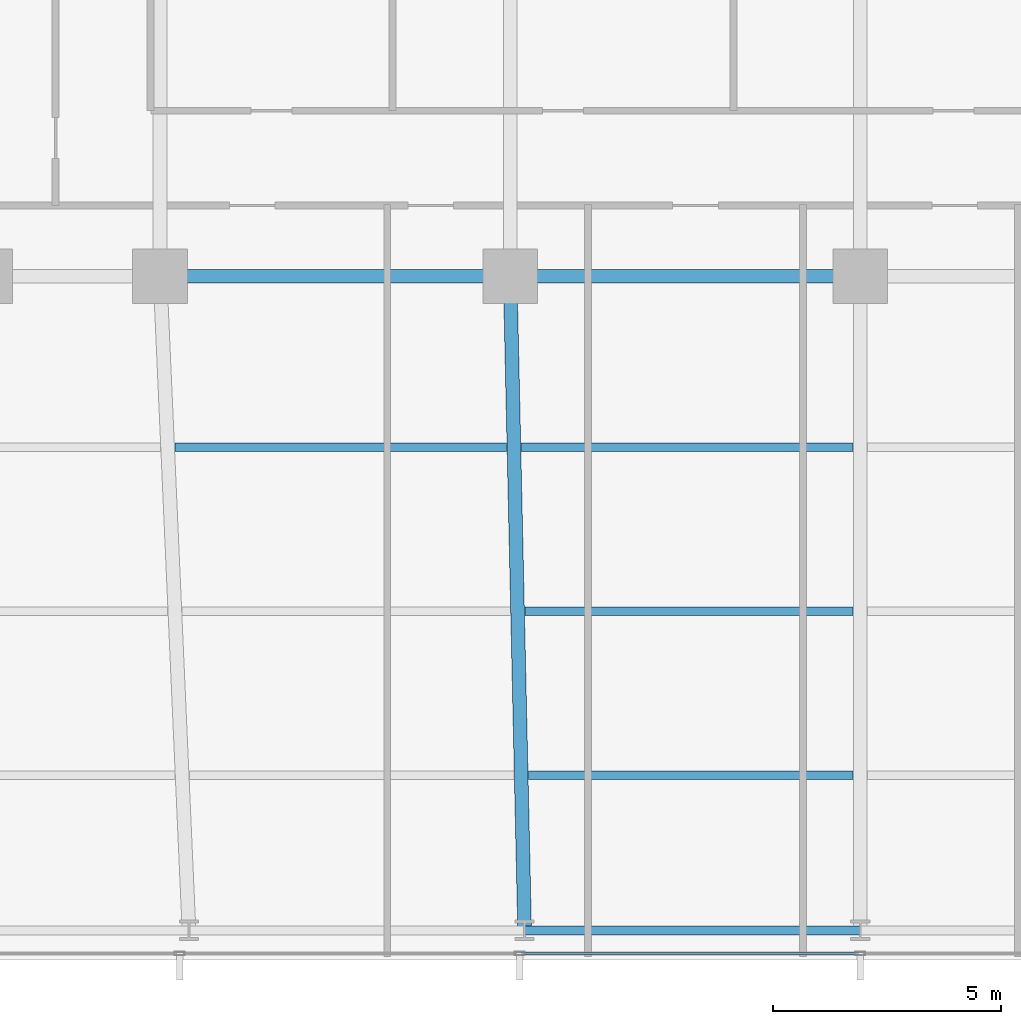
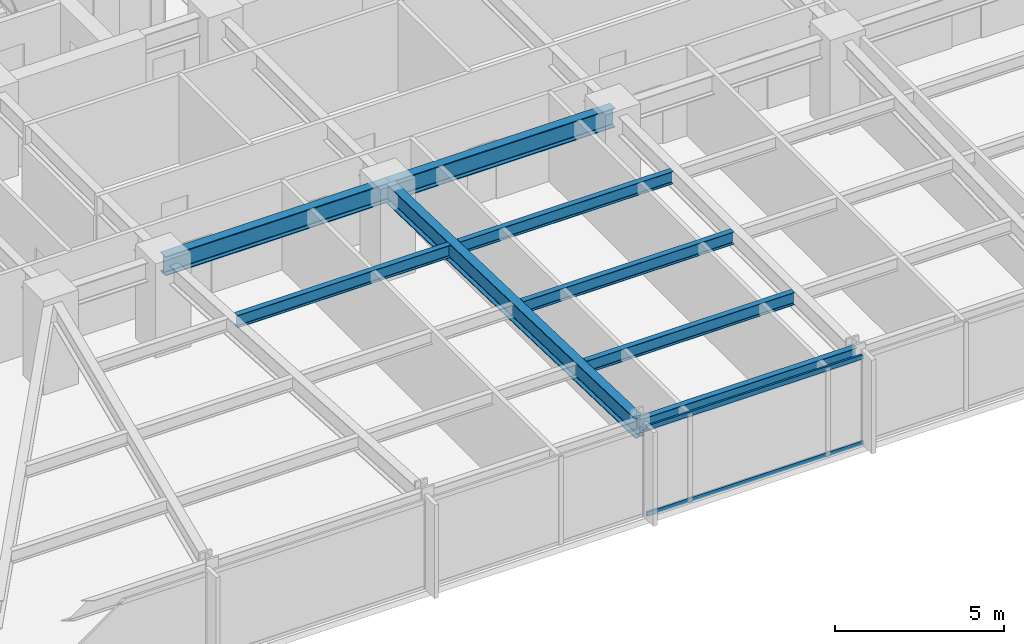
# One storey, part 6 of 32: 8 beams, 2 members, 1 element without a shape of its own.
"""IFC4 building model written with IfcOpenShell, lengths in metres."""

from ifc_helpers import new_model, si_unit, direction, frame, origin, origin_2d, place, context, subcontext, project, spatial, hollow_rectangle, i_section, extrude, material, material_profile, profile_set, type_object, element, aggregate, save


model = new_model("IFC4")

# Units and contexts
model_context = context("Model", 3, precision=1e-05, world=origin(), true_north=direction((0.0, 1.0)))
body_context = subcontext(model_context, "Body", "Model", "MODEL_VIEW")
ifc_project = project(units=[si_unit("LENGTHUNIT", "METRE"), si_unit("AREAUNIT", "SQUARE_METRE"), si_unit("VOLUMEUNIT", "CUBIC_METRE"), si_unit("PLANEANGLEUNIT", "RADIAN"), si_unit("MASSUNIT", "GRAM", prefix="KILO")], contexts=[model_context])

# Site, building, storey
site_placement = place(None, origin())
site = spatial("IfcSite", under=ifc_project, at=site_placement, CompositionType="ELEMENT")
building_placement = place(site_placement, origin())
building = spatial("IfcBuilding", under=site, at=building_placement, Name="Yelkora Congress Tower", CompositionType="ELEMENT")
storey_placement = place(building_placement, frame((0.0, 0.0, 57.60009765625)))
storey = spatial("IfcBuildingStorey", under=building, at=storey_placement, Name="L14", CompositionType="ELEMENT", Elevation=57.60009765625)

# Beams
ifc_material_1 = material(Name="Steel S355J2", Category="steel")
ifc_material_profile_1 = material_profile(ifc_material_1, i_section(OverallWidth=0.300048828125, OverallDepth=0.699951171875, WebThickness=0.01708984375, FlangeThickness=0.031982421875, FilletRadius=0.027099609375, at=origin_2d()), Name="HEB 700")
ifc_profile_set_1 = profile_set([ifc_material_profile_1], Name="Steel S355J2")
beam_type_1 = type_object("IfcBeamType", Name="BM-GIRD-HEB700", PredefinedType="BEAM", material=ifc_profile_set_1)
for number, where, z_axis, x_axis, name in (
    (1, (23.0400390625, 25.199951171875, 2.829833984375), (1.0, 0.0, 0.0), (0.0, 1.0, 0.0), "L14 Spine Grid D Girder 2"),
    (2, (30.719970703125, 25.199951171875, 2.829833984375), (1.0, 0.0, 0.0), (0.0, 1.0, 0.0), "L14 Spine Grid D Girder 3"),
):
    element("IfcBeam", number, at=place(storey_placement, frame(where, z_axis=z_axis, x_axis=x_axis)), inside=storey, type_object=beam_type_1, Name=name, PredefinedType="BEAM", context=body_context, shape_type="SweptSolid", body=[
        extrude(i_section(OverallWidth=0.300048828125, OverallDepth=0.699951171875, WebThickness=0.01708984375, FlangeThickness=0.031982421875, FilletRadius=0.027099609375, at=origin_2d()), origin(), (0.0, 0.0, 1.0), 7.679931640625),
    ])
beam_1_placement = place(storey_placement, frame((31.03759765625, 10.85009765625, 2.829833984375), z_axis=(-0.022129088136, 0.999755121746, 0.0), x_axis=(-0.999755121746, -0.022129088136, 0.0)))
element("IfcBeam", 3, at=beam_1_placement, inside=storey, type_object=beam_type_1, Name="L14 Primary Frame Girder S04", PredefinedType="BEAM", context=body_context, shape_type="SweptSolid", body=[
    extrude(i_section(OverallWidth=0.300048828125, OverallDepth=0.699951171875, WebThickness=0.01708984375, FlangeThickness=0.031982421875, FilletRadius=0.027099609375, at=origin_2d()), origin(), (0.0, 0.0, 1.0), 14.353271484375),
])
ifc_material_profile_2 = material_profile(ifc_material_1, i_section(OverallWidth=0.18994140625, OverallDepth=0.449951171875, WebThickness=0.009521484375, FlangeThickness=0.0146484375, FilletRadius=0.02099609375, at=origin_2d()), Name="IPE 450")
ifc_profile_set_2 = profile_set([ifc_material_profile_2], Name="Steel S355J2")
beam_type_2 = type_object("IfcBeamType", Name="BM-JOIST-IPE450", PredefinedType="JOIST", material=ifc_profile_set_2)
beam_2_placement = place(storey_placement, frame((31.122314453125, 14.25, 2.954833984375), z_axis=(1.0, 0.0, 0.0), x_axis=(0.0, 1.0, 0.0)))
element("IfcBeam", 4, at=beam_2_placement, inside=storey, type_object=beam_type_2, Name="L14 Composite Floor Joist 4", PredefinedType="JOIST", context=body_context, shape_type="SweptSolid", body=[
    extrude(i_section(OverallWidth=0.18994140625, OverallDepth=0.449951171875, WebThickness=0.009521484375, FlangeThickness=0.0146484375, FilletRadius=0.02099609375, at=origin_2d()), origin(), (0.0, 0.0, 1.0), 7.11767578125),
])
beam_3_placement = place(storey_placement, frame((31.04248046875, 17.85009765625, 2.954833984375), z_axis=(1.0, 0.0, 0.0), x_axis=(0.0, 1.0, 0.0)))
element("IfcBeam", 5, at=beam_3_placement, inside=storey, type_object=beam_type_2, Name="L14 Composite Floor Joist 12", PredefinedType="JOIST", context=body_context, shape_type="SweptSolid", body=[
    extrude(i_section(OverallWidth=0.18994140625, OverallDepth=0.449951171875, WebThickness=0.009521484375, FlangeThickness=0.0146484375, FilletRadius=0.02099609375, at=origin_2d()), origin(), (0.0, 0.0, 1.0), 7.197509765625),
])
for number, where, z_axis, x_axis, name in (
    (6, (23.365966796875, 21.449951171875, 2.954833984375), (1.0, 0.0, 0.0), (0.0, 1.0, 0.0), "L14 Composite Floor Joist 18"),
    (7, (30.962890625, 21.449951171875, 2.954833984375), (1.0, 0.0, 0.0), (0.0, 1.0, 0.0), "L14 Composite Floor Joist 19"),
):
    element("IfcBeam", number, at=place(storey_placement, frame(where, z_axis=z_axis, x_axis=x_axis)), inside=storey, type_object=beam_type_2, Name=name, PredefinedType="JOIST", context=body_context, shape_type="SweptSolid", body=[
        extrude(i_section(OverallWidth=0.18994140625, OverallDepth=0.449951171875, WebThickness=0.009521484375, FlangeThickness=0.0146484375, FilletRadius=0.02099609375, at=origin_2d()), origin(), (0.0, 0.0, 1.0), 7.277099609375),
    ])
ifc_material_profile_3 = material_profile(ifc_material_1, i_section(OverallWidth=0.199951171875, OverallDepth=0.5, WebThickness=0.01025390625, FlangeThickness=0.01611328125, FilletRadius=0.02099609375, at=origin_2d()), Name="IPE 500")
ifc_profile_set_3 = profile_set([ifc_material_profile_3], Name="Steel S355J2")
beam_type_3 = type_object("IfcBeamType", Name="BM-SPAN-IPE500", PredefinedType="SPANDREL", material=ifc_profile_set_3)
beam_4_placement = place(storey_placement, frame((31.03759765625, 10.85009765625, 2.929931640625), z_axis=(1.0, 0.0, 0.0), x_axis=(0.0, 1.0, 0.0)))
element("IfcBeam", 8, at=beam_4_placement, inside=storey, type_object=beam_type_3, Name="L14 Perimeter Beam 5", PredefinedType="SPANDREL", context=body_context, shape_type="SweptSolid", body=[
    extrude(i_section(OverallWidth=0.199951171875, OverallDepth=0.5, WebThickness=0.01025390625, FlangeThickness=0.01611328125, FilletRadius=0.02099609375, at=origin_2d()), origin(), (0.0, 0.0, 1.0), 7.3623046875),
])

# Curtain wall, members
ifc_material_2 = material(Name="Anodised aluminium and insulated glass", Category="aluminium")
curtain_wall_type = type_object("IfcCurtainWallType", Name="CW-SYS-B1", PredefinedType="NOTDEFINED", material=ifc_material_2)
curtain_wall_placement = place(storey_placement, origin())
curtain_wall = element("IfcCurtainWall", 9, at=curtain_wall_placement, inside=storey, type_object=curtain_wall_type, Name="L14 Unitised Curtain Wall 20", PredefinedType="NOTDEFINED")
ifc_material_3 = material(Name="Anodised aluminium 6063-T6", Category="aluminium")
ifc_material_profile_4 = material_profile(ifc_material_3, hollow_rectangle(XDim=0.06494140625, YDim=0.159912109375, WallThickness=0.00390625, at=origin_2d()), Name="ALU 65x160x4")
ifc_profile_set_4 = profile_set([ifc_material_profile_4], Name="Anodised aluminium 6063-T6")
member_type = type_object("IfcMemberType", Name="MEM-TR-B1", PredefinedType="USERDEFINED", material=ifc_profile_set_4)
member_1_placement = place(storey_placement, frame((38.362548828125, 10.340087890625, 0.032470703125), z_axis=(-1.0, 0.0, 0.0), x_axis=(0.0, -1.0, 0.0)))
member_1 = element("IfcMember", 10, at=member_1_placement, type_object=member_type, Name="CW-B1 transom 5.1", ObjectType="TRANSOM", PredefinedType="USERDEFINED", context=body_context, shape_type="SweptSolid", body=[
    extrude(hollow_rectangle(XDim=0.06494140625, YDim=0.159912109375, WallThickness=0.00390625, at=origin_2d()), origin(), (0.0, 0.0, 1.0), 7.39013671875),
])
member_2_placement = place(storey_placement, frame((38.362548828125, 10.340087890625, 3.1474609375), z_axis=(-1.0, 0.0, 0.0), x_axis=(0.0, -1.0, 0.0)))
member_2 = element("IfcMember", 11, at=member_2_placement, type_object=member_type, Name="CW-B1 transom 5.2", ObjectType="TRANSOM", PredefinedType="USERDEFINED", context=body_context, shape_type="SweptSolid", body=[
    extrude(hollow_rectangle(XDim=0.06494140625, YDim=0.159912109375, WallThickness=0.00390625, at=origin_2d()), origin(), (0.0, 0.0, 1.0), 7.39013671875),
])
aggregate(curtain_wall, [member_1, member_2])

save(model, "model.ifc")
